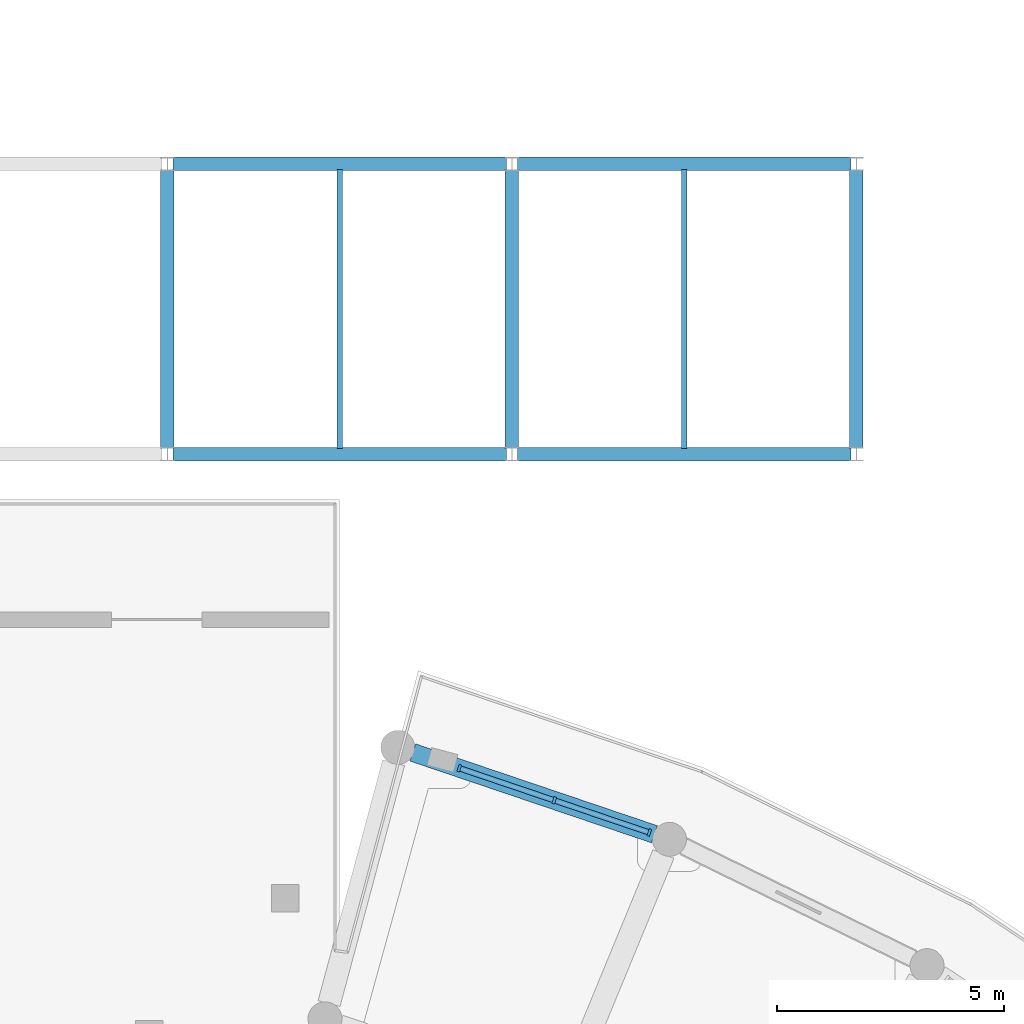
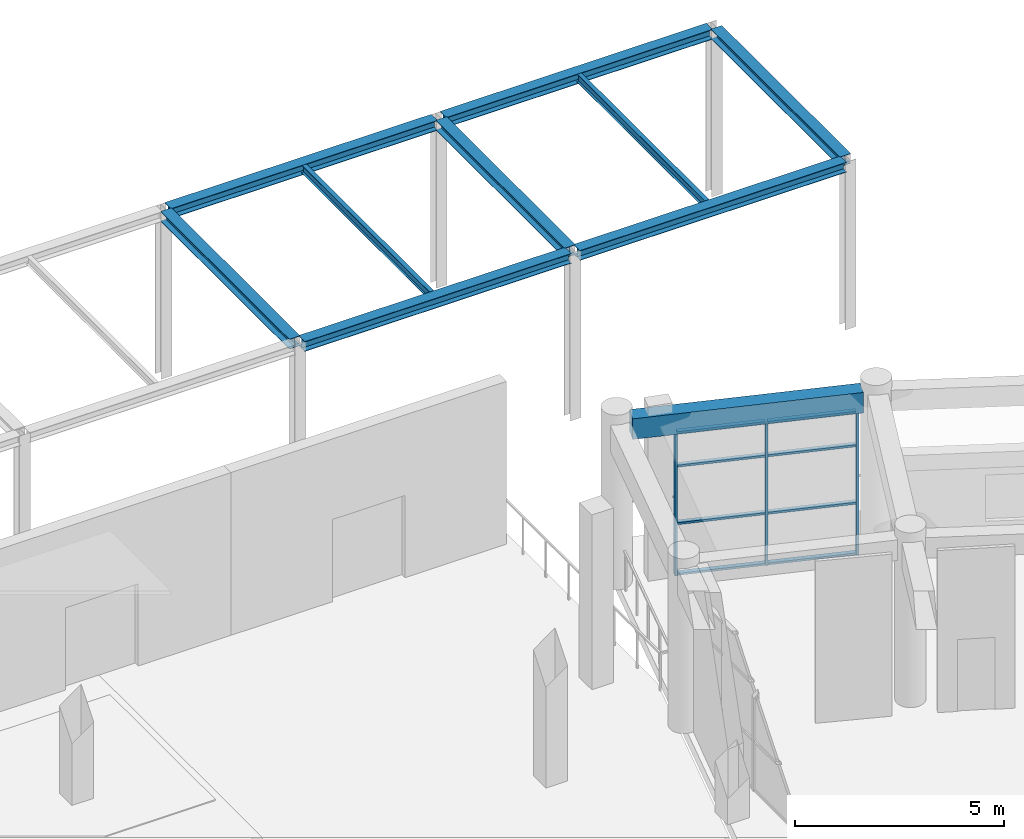
# One storey, part 53 of 99: 11 members, 10 beams, 1 element without a shape of its own.
"""IFC4 building model written with IfcOpenShell, lengths in metres."""

from ifc_helpers import new_model, si_unit, direction, frame, origin, origin_2d, place, context, subcontext, project, spatial, rectangle, i_section, extrude, material, material_profile, profile_set, type_object, element, aggregate, save


model = new_model("IFC4")

# Units and contexts
model_context = context("Model", 3, precision=1e-05, world=origin(), true_north=direction((0.0, 1.0)))
body_context = subcontext(model_context, "Body", "Model", "MODEL_VIEW")
ifc_project = project(units=[si_unit("LENGTHUNIT", "METRE"), si_unit("AREAUNIT", "SQUARE_METRE"), si_unit("VOLUMEUNIT", "CUBIC_METRE"), si_unit("PLANEANGLEUNIT", "RADIAN"), si_unit("MASSUNIT", "GRAM", prefix="KILO")], contexts=[model_context])

# Site, building, storey
site_placement = place(None, origin())
site = spatial("IfcSite", under=ifc_project, at=site_placement, CompositionType="ELEMENT")
building_placement = place(site_placement, origin())
building = spatial("IfcBuilding", under=site, at=building_placement, Name="Saryqyr Civic Hall", CompositionType="ELEMENT")
storey_placement = place(building_placement, origin())
storey = spatial("IfcBuildingStorey", under=building, at=storey_placement, Name="L00", CompositionType="ELEMENT", Elevation=0.0)

# Curtain wall, members
ifc_material_1 = material(Name="Anodised aluminium and triple low-E glass", Category="aluminium")
curtain_wall_type = type_object("IfcCurtainWallType", Name="ENV-CW-STD-12", PredefinedType="NOTDEFINED", material=ifc_material_1)
curtain_wall_placement = place(storey_placement, origin())
curtain_wall = element("IfcCurtainWall", 1, at=curtain_wall_placement, inside=storey, type_object=curtain_wall_type, Name="Curtain wall V6-CWO-L00-09", PredefinedType="NOTDEFINED")
ifc_material_2 = material(Name="Anodised aluminium", Category="aluminium")
ifc_material_profile_1 = material_profile(ifc_material_2, rectangle(XDim=0.06005859375, YDim=0.159912109375, at=origin_2d()), Name="ALU MULLION 60x160")
ifc_profile_set_1 = profile_set([ifc_material_profile_1], Name="Anodised aluminium")
member_type_1 = type_object("IfcMemberType", Name="ENV-CW-MUL-180", PredefinedType="MULLION", material=ifc_profile_set_1)
member_1_placement = place(storey_placement, frame((71.0390625, 130.87109375, 0.0), z_axis=(0.0, 0.0, 1.0), x_axis=(0.947191086234, -0.320669683879, 0.0)))
member_1 = element("IfcMember", 2, at=member_1_placement, type_object=member_type_1, Name="CW-12 mullion 1", PredefinedType="MULLION", context=body_context, shape_type="SweptSolid", body=[
    extrude(rectangle(XDim=0.06005859375, YDim=0.159912109375, at=origin_2d()), origin(), (0.0, 0.0, 1.0), 4.195068359375),
])
member_2_placement = place(storey_placement, frame((73.135986328125, 130.1611328125, 0.0), z_axis=(0.0, 0.0, 1.0), x_axis=(0.947191086234, -0.320669683879, 0.0)))
member_2 = element("IfcMember", 3, at=member_2_placement, type_object=member_type_1, Name="CW-12 mullion 2", PredefinedType="MULLION", context=body_context, shape_type="SweptSolid", body=[
    extrude(rectangle(XDim=0.06005859375, YDim=0.159912109375, at=origin_2d()), origin(), (0.0, 0.0, 1.0), 4.195068359375),
])
member_3_placement = place(storey_placement, frame((75.23291015625, 129.451171875, 0.0), z_axis=(0.0, 0.0, 1.0), x_axis=(0.947191086234, -0.320669683879, 0.0)))
member_3 = element("IfcMember", 4, at=member_3_placement, type_object=member_type_1, Name="CW-12 mullion 3", PredefinedType="MULLION", context=body_context, shape_type="SweptSolid", body=[
    extrude(rectangle(XDim=0.06005859375, YDim=0.159912109375, at=origin_2d()), origin(), (0.0, 0.0, 1.0), 4.195068359375),
])
ifc_material_profile_2 = material_profile(ifc_material_2, rectangle(XDim=0.1201171875, YDim=0.06005859375, at=origin_2d()), Name="ALU TRANSOM 120x60")
ifc_profile_set_2 = profile_set([ifc_material_profile_2], Name="Anodised aluminium")
member_type_2 = type_object("IfcMemberType", Name="ENV-CW-TRN-150", PredefinedType="USERDEFINED", material=ifc_profile_set_2)
member_4_placement = place(storey_placement, frame((71.0673828125, 130.861572265625, 0.030029296875), z_axis=(0.947165125277, -0.320746356891, 0.0), x_axis=(0.320746356891, 0.947165125277, 0.0)))
member_4 = element("IfcMember", 5, at=member_4_placement, type_object=member_type_2, Name="CW-12 transom 1.1", ObjectType="TRANSOM", PredefinedType="USERDEFINED", context=body_context, shape_type="SweptSolid", body=[
    extrude(rectangle(XDim=0.1201171875, YDim=0.06005859375, at=origin_2d()), origin(), (0.0, 0.0, 1.0), 2.154052734375),
])
member_5_placement = place(storey_placement, frame((71.0673828125, 130.861572265625, 1.510009765625), z_axis=(0.947165125277, -0.320746356891, 0.0), x_axis=(0.320746356891, 0.947165125277, 0.0)))
member_5 = element("IfcMember", 6, at=member_5_placement, type_object=member_type_2, Name="CW-12 transom 1.2", ObjectType="TRANSOM", PredefinedType="USERDEFINED", context=body_context, shape_type="SweptSolid", body=[
    extrude(rectangle(XDim=0.1201171875, YDim=0.06005859375, at=origin_2d()), origin(), (0.0, 0.0, 1.0), 2.154052734375),
])
member_6_placement = place(storey_placement, frame((71.0673828125, 130.861572265625, 3.18798828125), z_axis=(0.947165125277, -0.320746356891, 0.0), x_axis=(0.320746356891, 0.947165125277, 0.0)))
member_6 = element("IfcMember", 7, at=member_6_placement, type_object=member_type_2, Name="CW-12 transom 1.3", ObjectType="TRANSOM", PredefinedType="USERDEFINED", context=body_context, shape_type="SweptSolid", body=[
    extrude(rectangle(XDim=0.1201171875, YDim=0.06005859375, at=origin_2d()), origin(), (0.0, 0.0, 1.0), 2.154052734375),
])
member_7_placement = place(storey_placement, frame((71.0673828125, 130.861572265625, 4.1650390625), z_axis=(0.947165125277, -0.320746356891, 0.0), x_axis=(0.320746356891, 0.947165125277, 0.0)))
member_7 = element("IfcMember", 8, at=member_7_placement, type_object=member_type_2, Name="CW-12 transom 1.4", ObjectType="TRANSOM", PredefinedType="USERDEFINED", context=body_context, shape_type="SweptSolid", body=[
    extrude(rectangle(XDim=0.1201171875, YDim=0.06005859375, at=origin_2d()), origin(), (0.0, 0.0, 1.0), 2.154052734375),
])
member_8_placement = place(storey_placement, frame((73.164306640625, 130.151611328125, 0.030029296875), z_axis=(0.947199553109, -0.320644673417, 0.0), x_axis=(0.320644673417, 0.947199553109, 0.0)))
member_8 = element("IfcMember", 9, at=member_8_placement, type_object=member_type_2, Name="CW-12 transom 2.1", ObjectType="TRANSOM", PredefinedType="USERDEFINED", context=body_context, shape_type="SweptSolid", body=[
    extrude(rectangle(XDim=0.1201171875, YDim=0.06005859375, at=origin_2d()), origin(), (0.0, 0.0, 1.0), 2.154052734375),
])
member_9_placement = place(storey_placement, frame((73.164306640625, 130.151611328125, 1.510009765625), z_axis=(0.947199553109, -0.320644673417, 0.0), x_axis=(0.320644673417, 0.947199553109, 0.0)))
member_9 = element("IfcMember", 10, at=member_9_placement, type_object=member_type_2, Name="CW-12 transom 2.2", ObjectType="TRANSOM", PredefinedType="USERDEFINED", context=body_context, shape_type="SweptSolid", body=[
    extrude(rectangle(XDim=0.1201171875, YDim=0.06005859375, at=origin_2d()), origin(), (0.0, 0.0, 1.0), 2.154052734375),
])
member_10_placement = place(storey_placement, frame((73.164306640625, 130.151611328125, 3.18798828125), z_axis=(0.947199553109, -0.320644673417, 0.0), x_axis=(0.320644673417, 0.947199553109, 0.0)))
member_10 = element("IfcMember", 11, at=member_10_placement, type_object=member_type_2, Name="CW-12 transom 2.3", ObjectType="TRANSOM", PredefinedType="USERDEFINED", context=body_context, shape_type="SweptSolid", body=[
    extrude(rectangle(XDim=0.1201171875, YDim=0.06005859375, at=origin_2d()), origin(), (0.0, 0.0, 1.0), 2.154052734375),
])
member_11_placement = place(storey_placement, frame((73.164306640625, 130.151611328125, 4.1650390625), z_axis=(0.947199553109, -0.320644673417, 0.0), x_axis=(0.320644673417, 0.947199553109, 0.0)))
member_11 = element("IfcMember", 12, at=member_11_placement, type_object=member_type_2, Name="CW-12 transom 2.4", ObjectType="TRANSOM", PredefinedType="USERDEFINED", context=body_context, shape_type="SweptSolid", body=[
    extrude(rectangle(XDim=0.1201171875, YDim=0.06005859375, at=origin_2d()), origin(), (0.0, 0.0, 1.0), 2.154052734375),
])
aggregate(curtain_wall, [member_1, member_2, member_3, member_4, member_5, member_6, member_7, member_8, member_9, member_10, member_11])

# Beams
ifc_material_3 = material(Name="Steel S355", Category="steel")
ifc_material_profile_3 = material_profile(ifc_material_3, i_section(OverallWidth=0.300048828125, OverallDepth=0.2900390625, WebThickness=0.008544921875, FlangeThickness=0.013916015625, at=origin_2d()), Name="HEA 300")
ifc_profile_set_3 = profile_set([ifc_material_profile_3], Name="Steel S355")
beam_type_1 = type_object("IfcBeamType", Name="STR-BM-HEA300", PredefinedType="BEAM", material=ifc_profile_set_3)
for number, where, z_axis, x_axis, name in (
    (13, (64.60009765625, 137.919921875, 4.7451171875), (0.0, 1.0, 0.0), (-1.0, 0.0, 0.0), "Beam V6A-BM-NS5"),
    (14, (72.199951171875, 137.919921875, 4.7451171875), (0.0, 1.0, 0.0), (-1.0, 0.0, 0.0), "Beam V6A-BM-NS6"),
    (15, (79.800048828125, 137.919921875, 4.7451171875), (0.0, 1.0, 0.0), (-1.0, 0.0, 0.0), "Beam V6A-BM-NS7"),
):
    element("IfcBeam", number, at=place(storey_placement, frame(where, z_axis=z_axis, x_axis=x_axis)), inside=storey, type_object=beam_type_1, Name=name, PredefinedType="BEAM", context=body_context, shape_type="SweptSolid", body=[
        extrude(i_section(OverallWidth=0.300048828125, OverallDepth=0.2900390625, WebThickness=0.008544921875, FlangeThickness=0.013916015625, at=origin_2d()), origin(), (0.0, 0.0, 1.0), 6.16015625),
    ])
for number, where, z_axis, x_axis, name in (
    (16, (64.719970703125, 137.800048828125, 4.7451171875), (1.0, 0.0, 0.0), (0.0, 1.0, 0.0), "Beam V6A-BM-EW15"),
    (17, (64.719970703125, 144.199951171875, 4.7451171875), (1.0, 0.0, 0.0), (0.0, 1.0, 0.0), "Beam V6A-BM-EW25"),
):
    element("IfcBeam", number, at=place(storey_placement, frame(where, z_axis=z_axis, x_axis=x_axis)), inside=storey, type_object=beam_type_1, Name=name, PredefinedType="BEAM", context=body_context, shape_type="SweptSolid", body=[
        extrude(i_section(OverallWidth=0.300048828125, OverallDepth=0.2900390625, WebThickness=0.008544921875, FlangeThickness=0.013916015625, at=origin_2d()), origin(), (0.0, 0.0, 1.0), 7.360107421875),
    ])
for number, where, z_axis, x_axis, name in (
    (18, (72.320068359375, 137.800048828125, 4.7451171875), (1.0, 0.0, 0.0), (0.0, 1.0, 0.0), "Beam V6A-BM-EW16"),
    (19, (72.320068359375, 144.199951171875, 4.7451171875), (1.0, 0.0, 0.0), (0.0, 1.0, 0.0), "Beam V6A-BM-EW26"),
):
    element("IfcBeam", number, at=place(storey_placement, frame(where, z_axis=z_axis, x_axis=x_axis)), inside=storey, type_object=beam_type_1, Name=name, PredefinedType="BEAM", context=body_context, shape_type="SweptSolid", body=[
        extrude(i_section(OverallWidth=0.300048828125, OverallDepth=0.2900390625, WebThickness=0.008544921875, FlangeThickness=0.013916015625, at=origin_2d()), origin(), (0.0, 0.0, 1.0), 7.35986328125),
    ])
ifc_material_4 = material(Name="Concrete C35/45", Category="concrete")
ifc_material_profile_4 = material_profile(ifc_material_4, rectangle(XDim=0.39990234375, YDim=0.60009765625, at=origin_2d()), Name="RC 400x600")
ifc_profile_set_4 = profile_set([ifc_material_profile_4], Name="Concrete C35/45")
beam_type_2 = type_object("IfcBeamType", Name="STR-BM-RC400x600-EXT", PredefinedType="BEAM", material=ifc_profile_set_4)
beam_placement = place(storey_placement, frame((75.344970703125, 129.413330078125, 4.52001953125), z_axis=(-0.94718941971, 0.320674606398, 0.0), x_axis=(-0.320674606398, -0.94718941971, 0.0)))
element("IfcBeam", 20, at=beam_placement, inside=storey, type_object=beam_type_2, Name="Beam V6-CBM-OUT09-L00", PredefinedType="BEAM", context=body_context, shape_type="SweptSolid", body=[
    extrude(rectangle(XDim=0.39990234375, YDim=0.60009765625, at=origin_2d()), origin(), (0.0, 0.0, 1.0), 5.628662109375),
])
ifc_material_profile_5 = material_profile(ifc_material_3, i_section(OverallWidth=0.1201171875, OverallDepth=0.239990234375, WebThickness=0.006103515625, FlangeThickness=0.009765625, at=origin_2d()), Name="IPE 240")
ifc_profile_set_5 = profile_set([ifc_material_profile_5], Name="Steel S355")
beam_type_3 = type_object("IfcBeamType", Name="STR-JST-IPE240", PredefinedType="JOIST", material=ifc_profile_set_5)
for number, where, z_axis, x_axis, name in (
    (21, (68.39990234375, 137.919921875, 4.77001953125), (0.0, 1.0, 0.0), (-1.0, 0.0, 0.0), "Beam V6A-JST-5"),
    (22, (76.0, 137.919921875, 4.77001953125), (0.0, 1.0, 0.0), (-1.0, 0.0, 0.0), "Beam V6A-JST-6"),
):
    element("IfcBeam", number, at=place(storey_placement, frame(where, z_axis=z_axis, x_axis=x_axis)), inside=storey, type_object=beam_type_3, Name=name, PredefinedType="JOIST", context=body_context, shape_type="SweptSolid", body=[
        extrude(i_section(OverallWidth=0.1201171875, OverallDepth=0.239990234375, WebThickness=0.006103515625, FlangeThickness=0.009765625, at=origin_2d()), origin(), (0.0, 0.0, 1.0), 6.16015625),
    ])

save(model, "model.ifc")
